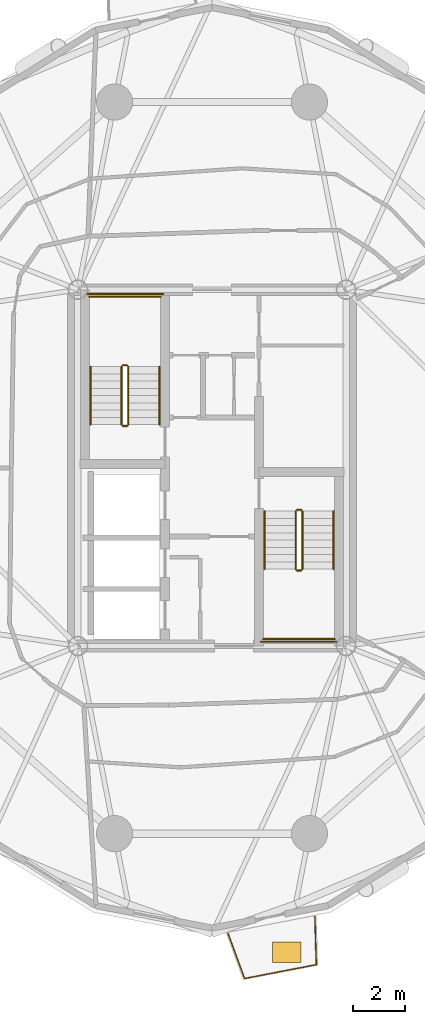
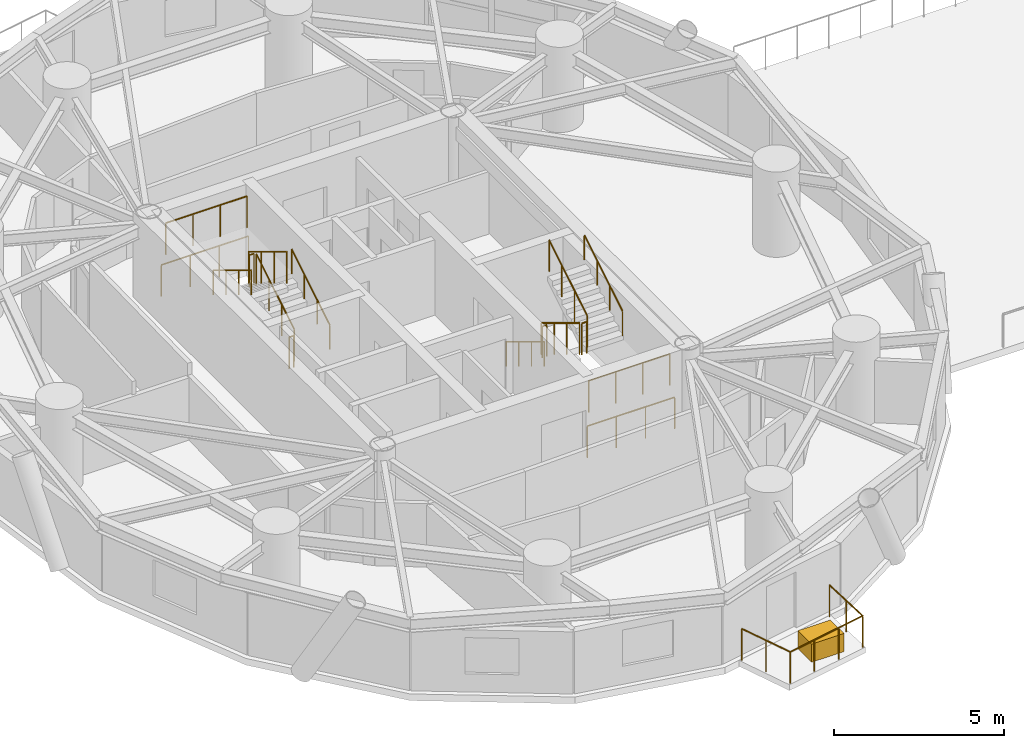
# One storey, part 16 of 19: 17 railings, 1 covering.
"""IFC4 building model written with IfcOpenShell, lengths in metres."""

import ifcopenshell
import ifcopenshell.guid

model = None  # the IFC model being written
_history = None  # IfcOwnerHistory: only IFC2X3 demands one
_inside = {}  # id of a spatial element -> (the spatial element, [elements in it])
_under = {}  # id of a project, library or spatial element -> (it, [spatial elements below it])
_declared = {}  # id of a project -> (the project, [libraries it declares])
_typed = {}  # id of a type object -> (the type object, [elements of that type])
_made_of = {}  # id of a material, layer set ... -> (it, [elements and type objects made of it])


def new_model(schema):
    """Start an empty IFC model of exactly this schema.

    Asked for "IFC4X3", IfcOpenShell would pick the latest addendum, in which some entities
    have other attributes; the version numbers below select the first issue.
    IFC2X3 requires an IfcOwnerHistory on every rooted entity: one is made here for all.
    """
    global model, _history
    if schema == "IFC4X3":
        model = ifcopenshell.file(schema_version=(4, 3, 0, 0))
    else:
        model = ifcopenshell.file(schema=schema)
    _inside.clear()
    _under.clear()
    _declared.clear()
    _typed.clear()
    _made_of.clear()
    _history = None
    if model.schema == "IFC2X3":
        org = make("IfcOrganization", Name="unknown")
        user = make(
            "IfcPersonAndOrganization",
            ThePerson=make("IfcPerson", FamilyName="unknown"),
            TheOrganization=org,
        )
        app = make(
            "IfcApplication",
            ApplicationDeveloper=org,
            Version="unknown",
            ApplicationFullName="unknown",
            ApplicationIdentifier="unknown",
        )
        _history = make(
            "IfcOwnerHistory",
            OwningUser=user,
            OwningApplication=app,
            ChangeAction="ADDED",
            CreationDate=0,
        )
    return model


def make(cls, **values):
    """One entity of the class cls with the attributes given. An attribute that is None is left unset."""
    return model.create_entity(
        cls, **{name: value for name, value in values.items() if value is not None}
    )


def rooted(cls, **values):
    """An entity with a GlobalId (a new one), such as an element, a storey or a relation."""
    return make(cls, GlobalId=ifcopenshell.guid.new(), OwnerHistory=_history, **values)


def si_unit(unit_type, name, prefix=None):
    """IfcSIUnit, for example si_unit("LENGTHUNIT", "METRE", prefix="MILLI")."""
    return make("IfcSIUnit", UnitType=unit_type, Prefix=prefix, Name=name)


def assignment(units):
    """IfcUnitAssignment: the units of a project."""
    return None if units is None else make("IfcUnitAssignment", Units=units)


def point(xyz):
    """IfcCartesianPoint."""
    return None if xyz is None else make("IfcCartesianPoint", Coordinates=xyz)


def direction(xyz):
    """IfcDirection."""
    return None if xyz is None else make("IfcDirection", DirectionRatios=xyz)


def frame(location, z_axis=None, x_axis=None):
    """IfcAxis2Placement3D, a coordinate frame: its origin and axes. An axis left out is left unset."""
    return make(
        "IfcAxis2Placement3D",
        Location=point(location),
        Axis=direction(z_axis),
        RefDirection=direction(x_axis),
    )


def frame_2d(location, x_axis=None):
    """IfcAxis2Placement2D, a coordinate frame in the plane: its origin and x axis."""
    return make(
        "IfcAxis2Placement2D", Location=point(location), RefDirection=direction(x_axis)
    )


def origin():
    """The frame at (0, 0, 0) with its axes left unset."""
    return frame((0.0, 0.0, 0.0))


def origin_2d():
    """The frame at (0, 0) in the plane with its x axis left unset."""
    return frame_2d((0.0, 0.0))


def place(relative_to, where):
    """IfcLocalPlacement: puts the frame where relative to a parent placement (None: the world)."""
    return make(
        "IfcLocalPlacement", PlacementRelTo=relative_to, RelativePlacement=where
    )


def context(
    kind, dimensions, precision=None, world=None, true_north=None, identifier=None
):
    """IfcGeometricRepresentationContext, for example the 3D "Model" context."""
    return make(
        "IfcGeometricRepresentationContext",
        ContextIdentifier=identifier,
        ContextType=kind,
        CoordinateSpaceDimension=dimensions,
        Precision=precision,
        WorldCoordinateSystem=world,
        TrueNorth=true_north,
    )


def subcontext(parent, identifier, kind, view, scale=None):
    """IfcGeometricRepresentationSubContext, for example "Body" below "Model"."""
    return make(
        "IfcGeometricRepresentationSubContext",
        ContextIdentifier=identifier,
        ContextType=kind,
        ParentContext=parent,
        TargetScale=scale,
        TargetView=view,
    )


def project(units=None, contexts=None):
    """IfcProject with its units and contexts."""
    return rooted(
        "IfcProject",
        Name="project",
        RepresentationContexts=contexts,
        UnitsInContext=assignment(units),
    )


def spatial(cls, under=None, at=None, **own):
    """A site, building, storey or space (cls), placed at a placement, below another one or the project."""
    s = rooted(cls, ObjectPlacement=at, **own)
    if under is not None:
        _under.setdefault(under.id(), (under, []))[1].append(s)
    return s


def profile(cls, at=None, kind="AREA", **sizes):
    """A parametric profile (cls). Its sizes go by their IFC names, for example OverallWidth=200.0."""
    return make(cls, ProfileType=kind, Position=at, **sizes)


def rectangle(**sizes):
    """IfcRectangleProfileDef."""
    return profile("IfcRectangleProfileDef", **sizes)


def circle(**sizes):
    """IfcCircleProfileDef."""
    return profile("IfcCircleProfileDef", **sizes)


def extrude(swept, where, along, depth):
    """IfcExtrudedAreaSolid: the profile swept, set in the frame where, extruded along a direction by depth."""
    return make(
        "IfcExtrudedAreaSolid",
        SweptArea=swept,
        Position=where,
        ExtrudedDirection=direction(along),
        Depth=depth,
    )


def shape(context_of_items, identifier, shape_type, items):
    """IfcShapeRepresentation: the items that make up one representation, for example the "Body"."""
    return make(
        "IfcShapeRepresentation",
        ContextOfItems=context_of_items,
        RepresentationIdentifier=identifier,
        RepresentationType=shape_type,
        Items=items,
    )


def source(mapping_origin, context_of_items, identifier, shape_type, items):
    """IfcRepresentationMap: a shape defined once, which mapped items show again and again."""
    return make(
        "IfcRepresentationMap",
        MappingOrigin=mapping_origin,
        MappedRepresentation=shape(context_of_items, identifier, shape_type, items),
    )


def transform(
    local_origin,
    x_axis=None,
    y_axis=None,
    z_axis=None,
    scale=None,
    scale2=None,
    scale3=None,
    uniform=True,
):
    """IfcCartesianTransformationOperator3D, or its non-uniform kind. x_axis, y_axis, z_axis: its Axis1, 2, 3."""
    if uniform:
        return make(
            "IfcCartesianTransformationOperator3D",
            Axis1=direction(x_axis),
            Axis2=direction(y_axis),
            LocalOrigin=point(local_origin),
            Scale=scale,
            Axis3=direction(z_axis),
        )
    return make(
        "IfcCartesianTransformationOperator3DnonUniform",
        Axis1=direction(x_axis),
        Axis2=direction(y_axis),
        LocalOrigin=point(local_origin),
        Scale=scale,
        Axis3=direction(z_axis),
        Scale2=scale2,
        Scale3=scale3,
    )


def mapped(mapping_source, mapping_target):
    """IfcMappedItem: shows the shape of a source again, moved by a transform."""
    return make(
        "IfcMappedItem", MappingSource=mapping_source, MappingTarget=mapping_target
    )


def material(Name=None, Category=None):
    """IfcMaterial."""
    return make("IfcMaterial", Name=Name, Category=Category)


def layer(
    of_material, thickness, ventilated=None, Name=None, Category=None, Priority=None
):
    """IfcMaterialLayer: one layer of a wall or slab, of a material (None: an air gap)."""
    return make(
        "IfcMaterialLayer",
        Material=of_material,
        LayerThickness=thickness,
        IsVentilated=ventilated,
        Name=Name,
        Category=Category,
        Priority=Priority,
    )


def layer_set(layers, Name=None):
    """IfcMaterialLayerSet."""
    return make("IfcMaterialLayerSet", MaterialLayers=layers, LayerSetName=Name)


def made_of(thing, what):
    """Note that an element or type object is made of a material, layer set ...; save() writes the relation."""
    if what is not None:
        _made_of.setdefault(what.id(), (what, []))[1].append(thing)
    return thing


def type_object(cls, material=None, **own):
    """A type object (cls), such as IfcWallType, which elements share."""
    return made_of(rooted(cls, **own), material)


def element(
    cls,
    number,
    at=None,
    inside=None,
    cuts=None,
    type_object=None,
    material=None,
    context=None,
    identifier="Body",
    shape_type=None,
    held_by="IfcProductDefinitionShape",
    body=None,
    shapes=None,
    **own,
):
    """One element of the class cls, such as IfcWall. Its Tag is "e" and its number.

    at: its placement. inside: the storey or other place that contains it. cuts: it is an
    opening in that element (IfcRelVoidsElement). A single representation is given by context,
    identifier, shape_type and body (its items); several are given by shapes. held_by: the class
    of the entity that holds the representations. save() writes the other relations.
    """
    e = rooted(cls, Tag="e%d" % number, ObjectPlacement=at, **own)
    if body is not None:
        shapes = [shape(context, identifier, shape_type, body)]
    if shapes is not None:
        e.Representation = make(held_by, Representations=shapes)
    if inside is not None:
        _inside.setdefault(inside.id(), (inside, []))[1].append(e)
    if cuts is not None:
        rooted(
            "IfcRelVoidsElement", RelatingBuildingElement=cuts, RelatedOpeningElement=e
        )
    if type_object is not None:
        _typed.setdefault(type_object.id(), (type_object, []))[1].append(e)
    return made_of(e, material)


def aggregate(whole, parts):
    """IfcRelAggregates: a whole, such as a stair, and the parts it consists of."""
    return rooted("IfcRelAggregates", RelatingObject=whole, RelatedObjects=parts)


def save(model, path):
    """Write the relations noted so far, then the file.

    IfcRelAggregates (storeys below a building ...), IfcRelContainedInSpatialStructure (elements
    in a storey), IfcRelDefinesByType, IfcRelAssociatesMaterial and IfcRelDeclares: one each for
    every whole, place, type object, material and project.
    """
    for whole, parts in _under.values():
        aggregate(whole, parts)
    for where, things in _inside.values():
        rooted(
            "IfcRelContainedInSpatialStructure",
            RelatedElements=things,
            RelatingStructure=where,
        )
    for kind, things in _typed.values():
        rooted("IfcRelDefinesByType", RelatedObjects=things, RelatingType=kind)
    for what, things in _made_of.values():
        rooted("IfcRelAssociatesMaterial", RelatedObjects=things, RelatingMaterial=what)
    for by, libraries in _declared.values():
        rooted("IfcRelDeclares", RelatingContext=by, RelatedDefinitions=libraries)
    model.write(path)


model = new_model("IFC4")

# Units and contexts
model_context = context("Model", 3, precision=1e-05, world=origin(), true_north=direction((0.0, 1.0)))
body_context = subcontext(model_context, "Body", "Model", "MODEL_VIEW")
ifc_project = project(units=[si_unit("LENGTHUNIT", "METRE"), si_unit("AREAUNIT", "SQUARE_METRE"), si_unit("VOLUMEUNIT", "CUBIC_METRE"), si_unit("PLANEANGLEUNIT", "RADIAN"), si_unit("MASSUNIT", "GRAM", prefix="KILO")], contexts=[model_context])

# Site, building, storey
site_placement = place(None, origin())
site = spatial("IfcSite", under=ifc_project, at=site_placement, CompositionType="ELEMENT")
building_placement = place(site_placement, origin())
building = spatial("IfcBuilding", under=site, at=building_placement, Name="Cununo Teusaquillo Station Towers", CompositionType="ELEMENT")
storey_placement = place(building_placement, frame((0.0, 0.0, 144.0400390625)))
storey = spatial("IfcBuildingStorey", under=building, at=storey_placement, Name="L45", CompositionType="ELEMENT", Elevation=144.0400390625)

# Railings
ifc_material_1 = material(Name="Anodised dark bronze aluminium EN AW-6063-T6", Category="aluminium")
railing_type_1 = type_object("IfcRailingType", Name="RL-EXT-GUARD", PredefinedType="GUARDRAIL", material=ifc_material_1)
railing_1_placement = place(storey_placement, frame((20.470703125, 7.173583984375, 0.0)))
element("IfcRailing", 1, at=railing_1_placement, inside=storey, type_object=railing_type_1, Name="L45 Tower A Balcony Guardrail C15", PredefinedType="GUARDRAIL", context=body_context, shape_type="SweptSolid", body=[
    extrude(circle(Radius=0.02392578125, at=origin_2d()), frame((0.0, 0.0, 1.1259765625), z_axis=(0.030492060761, -0.999535009007, 0.0), x_axis=(0.999535009007, 0.030492060761, 0.0)), (0.0, 0.0, 1.0), 1.857666015625),
    extrude(circle(Radius=0.02392578125, at=origin_2d()), frame((0.056640625, -1.856689453125, 1.1259765625), z_axis=(-0.981837596309, -0.18972331031, 0.0), x_axis=(0.18972331031, -0.981837596309, 0.0)), (0.0, 0.0, 1.0), 2.822021484375),
    extrude(circle(Radius=0.02392578125, at=origin_2d()), frame((-2.714111328125, -2.39208984375, 1.1259765625), z_axis=(-0.344127190422, 0.938923040942, 0.0), x_axis=(-0.938923040942, -0.344127190422, 0.0)), (0.0, 0.0, 1.0), 1.857421875),
    extrude(circle(Radius=0.02099609375, at=origin_2d()), origin(), (0.0, 0.0, 1.0), 1.101806640625),
    extrude(circle(Radius=0.02099609375, at=origin_2d()), frame((0.0283203125, -0.92822265625, 0.0)), (0.0, 0.0, 1.0), 1.101806640625),
    extrude(circle(Radius=0.02099609375, at=origin_2d()), frame((0.056640625, -1.856689453125, 0.0)), (0.0, 0.0, 1.0), 1.101806640625),
    extrude(circle(Radius=0.02099609375, at=origin_2d()), frame((-0.866943359375, -2.03515625, 0.0)), (0.0, 0.0, 1.0), 1.101806640625),
    extrude(circle(Radius=0.02099609375, at=origin_2d()), frame((-1.79052734375, -2.213623046875, 0.0)), (0.0, 0.0, 1.0), 1.101806640625),
    extrude(circle(Radius=0.02099609375, at=origin_2d()), frame((-2.714111328125, -2.39208984375, 0.0)), (0.0, 0.0, 1.0), 1.101806640625),
    extrude(circle(Radius=0.02099609375, at=origin_2d()), frame((-3.03369140625, -1.52001953125, 0.0)), (0.0, 0.0, 1.0), 1.101806640625),
    extrude(circle(Radius=0.02099609375, at=origin_2d()), frame((-3.353271484375, -0.648193359375, 0.0)), (0.0, 0.0, 1.0), 1.101806640625),
])
ifc_material_2 = material(Name="Steel EN 10025-2 S355J2", Category="steel")
railing_type_2 = type_object("IfcRailingType", Name="RL-INT-GUARD", PredefinedType="GUARDRAIL", material=ifc_material_2)
railing_2_placement = place(storey_placement, frame((13.27001953125, 26.169921875, 0.169921875)))
element("IfcRailing", 2, at=railing_2_placement, inside=storey, type_object=railing_type_2, Name="L45 ST-T1-1 stair guard 1", PredefinedType="GUARDRAIL", context=body_context, shape_type="SweptSolid", body=[
    extrude(circle(Radius=0.02392578125, at=origin_2d()), frame((0.0, 0.0, 1.1259765625), z_axis=(0.0, 0.854768326408, 0.519009738029), x_axis=(-1.0, 0.0, 0.0)), (0.0, 0.0, 1.0), 2.62060546875),
    extrude(circle(Radius=0.02099609375, at=origin_2d()), origin(), (0.0, 0.0, 1.0), 1.101806640625),
    extrude(circle(Radius=0.02099609375, at=origin_2d()), frame((0.0, 0.74658203125, 0.453369140625)), (0.0, 0.0, 1.0), 1.101806640625),
    extrude(circle(Radius=0.02099609375, at=origin_2d()), frame((0.0, 1.493408203125, 0.90673828125)), (0.0, 0.0, 1.0), 1.101806640625),
    extrude(circle(Radius=0.02099609375, at=origin_2d()), frame((0.0, 2.239990234375, 1.360107421875)), (0.0, 0.0, 1.0), 1.101806640625),
])
railing_3_placement = place(storey_placement, frame((13.219970703125, 28.4599609375, 1.530029296875)))
element("IfcRailing", 3, at=railing_3_placement, inside=storey, type_object=railing_type_2, Name="L45 ST-T1-1 stair guard 2", PredefinedType="GUARDRAIL", context=body_context, shape_type="SweptSolid", body=[
    extrude(circle(Radius=0.02392578125, at=origin_2d()), frame((0.0, 0.0, 1.1259765625), z_axis=(-1.0, 0.0, 0.0), x_axis=(0.0, -1.0, 0.0)), (0.0, 0.0, 1.0), 0.159912109375),
    extrude(circle(Radius=0.02099609375, at=origin_2d()), origin(), (0.0, 0.0, 1.0), 1.101806640625),
    extrude(circle(Radius=0.02099609375, at=origin_2d()), frame((-0.159912109375, 0.0, 0.0)), (0.0, 0.0, 1.0), 1.101806640625),
])
railing_4_placement = place(storey_placement, frame((14.52001953125, 31.110107421875, 1.530029296875)))
element("IfcRailing", 4, at=railing_4_placement, inside=storey, type_object=railing_type_2, Name="L45 ST-T1-1 stair guard 3", PredefinedType="GUARDRAIL", context=body_context, shape_type="SweptSolid", body=[
    extrude(circle(Radius=0.02392578125, at=origin_2d()), frame((0.0, 0.0, 1.1259765625), z_axis=(-1.0, 0.0, 0.0), x_axis=(0.0, -1.0, 0.0)), (0.0, 0.0, 1.0), 2.760009765625),
    extrude(circle(Radius=0.02099609375, at=origin_2d()), origin(), (0.0, 0.0, 1.0), 1.101806640625),
    extrude(circle(Radius=0.02099609375, at=origin_2d()), frame((-0.919921875, 0.0, 0.0)), (0.0, 0.0, 1.0), 1.101806640625),
    extrude(circle(Radius=0.02099609375, at=origin_2d()), frame((-1.840087890625, 0.0, 0.0)), (0.0, 0.0, 1.0), 1.101806640625),
    extrude(circle(Radius=0.02099609375, at=origin_2d()), frame((-2.760009765625, 0.0, 0.0)), (0.0, 0.0, 1.0), 1.101806640625),
])
railing_5_placement = place(storey_placement, frame((13.010009765625, 28.409912109375, 1.699951171875)))
element("IfcRailing", 5, at=railing_5_placement, inside=storey, type_object=railing_type_2, Name="L45 ST-T1-1 stair guard 4", PredefinedType="GUARDRAIL", context=body_context, shape_type="SweptSolid", body=[
    extrude(circle(Radius=0.02392578125, at=origin_2d()), frame((0.0, 0.0, 1.1259765625), z_axis=(0.0, -0.854768326408, 0.519009738029), x_axis=(1.0, 0.0, 0.0)), (0.0, 0.0, 1.0), 2.62060546875),
    extrude(circle(Radius=0.02099609375, at=origin_2d()), origin(), (0.0, 0.0, 1.0), 1.101806640625),
    extrude(circle(Radius=0.02099609375, at=origin_2d()), frame((0.0, -0.74658203125, 0.453369140625)), (0.0, 0.0, 1.0), 1.101806640625),
    extrude(circle(Radius=0.02099609375, at=origin_2d()), frame((0.0, -1.493408203125, 0.90673828125)), (0.0, 0.0, 1.0), 1.101806640625),
    extrude(circle(Radius=0.02099609375, at=origin_2d()), frame((0.0, -2.239990234375, 1.360107421875)), (0.0, 0.0, 1.0), 1.101806640625),
])
railing_6_placement = place(storey_placement, frame((13.219970703125, 26.1201171875, 0.0)))
element("IfcRailing", 6, at=railing_6_placement, inside=storey, type_object=railing_type_2, Name="L45 ST-T1-1 stair guard 5", PredefinedType="GUARDRAIL", context=body_context, shape_type="SweptSolid", body=[
    extrude(circle(Radius=0.02392578125, at=origin_2d()), frame((0.0, 0.0, 1.1259765625), z_axis=(-1.0, 0.0, 0.0), x_axis=(0.0, -1.0, 0.0)), (0.0, 0.0, 1.0), 0.159912109375),
    extrude(circle(Radius=0.02099609375, at=origin_2d()), origin(), (0.0, 0.0, 1.0), 1.101806640625),
    extrude(circle(Radius=0.02099609375, at=origin_2d()), frame((-0.159912109375, 0.0, 0.0)), (0.0, 0.0, 1.0), 1.101806640625),
])
railing_7_placement = place(storey_placement, frame((14.6201171875, 31.2099609375, 0.0)))
element("IfcRailing", 7, at=railing_7_placement, inside=storey, type_object=railing_type_2, Name="L45 ST-T1-1 stair guard 6", PredefinedType="GUARDRAIL", context=body_context, shape_type="SweptSolid", body=[
    extrude(circle(Radius=0.02392578125, at=origin_2d()), frame((0.0, 0.0, 1.1259765625), z_axis=(-1.0, 0.0, 0.0), x_axis=(0.0, -1.0, 0.0)), (0.0, 0.0, 1.0), 2.960205078125),
    extrude(circle(Radius=0.02099609375, at=origin_2d()), origin(), (0.0, 0.0, 1.0), 1.101806640625),
    extrude(circle(Radius=0.02099609375, at=origin_2d()), frame((-0.98681640625, 0.0, 0.0)), (0.0, 0.0, 1.0), 1.101806640625),
    extrude(circle(Radius=0.02099609375, at=origin_2d()), frame((-1.973388671875, 0.0, 0.0)), (0.0, 0.0, 1.0), 1.101806640625),
    extrude(circle(Radius=0.02099609375, at=origin_2d()), frame((-2.960205078125, 0.0, 0.0)), (0.0, 0.0, 1.0), 1.101806640625),
])
railing_8_placement = place(storey_placement, frame((19.72998046875, 22.830078125, 0.169921875)))
element("IfcRailing", 8, at=railing_8_placement, inside=storey, type_object=railing_type_2, Name="L45 ST-T1-2 stair guard 1", PredefinedType="GUARDRAIL", context=body_context, shape_type="SweptSolid", body=[
    extrude(circle(Radius=0.02392578125, at=origin_2d()), frame((0.0, 0.0, 1.1259765625), z_axis=(0.0, -0.854768326408, 0.519009738029), x_axis=(1.0, 0.0, 0.0)), (0.0, 0.0, 1.0), 2.62060546875),
    extrude(circle(Radius=0.02099609375, at=origin_2d()), origin(), (0.0, 0.0, 1.0), 1.101806640625),
    extrude(circle(Radius=0.02099609375, at=origin_2d()), frame((0.0, -0.74658203125, 0.453369140625)), (0.0, 0.0, 1.0), 1.101806640625),
    extrude(circle(Radius=0.02099609375, at=origin_2d()), frame((0.0, -1.493408203125, 0.90673828125)), (0.0, 0.0, 1.0), 1.101806640625),
    extrude(circle(Radius=0.02099609375, at=origin_2d()), frame((0.0, -2.239990234375, 1.360107421875)), (0.0, 0.0, 1.0), 1.101806640625),
])
railing_9_placement = place(storey_placement, frame((19.780029296875, 20.5400390625, 1.530029296875)))
element("IfcRailing", 9, at=railing_9_placement, inside=storey, type_object=railing_type_2, Name="L45 ST-T1-2 stair guard 2", PredefinedType="GUARDRAIL", context=body_context, shape_type="SweptSolid", body=[
    extrude(circle(Radius=0.02392578125, at=origin_2d()), frame((0.0, 0.0, 1.1259765625), z_axis=(1.0, 0.0, 0.0), x_axis=(0.0, 1.0, 0.0)), (0.0, 0.0, 1.0), 0.159912109375),
    extrude(circle(Radius=0.02099609375, at=origin_2d()), origin(), (0.0, 0.0, 1.0), 1.101806640625),
    extrude(circle(Radius=0.02099609375, at=origin_2d()), frame((0.159912109375, 0.0, 0.0)), (0.0, 0.0, 1.0), 1.101806640625),
])
railing_10_placement = place(storey_placement, frame((18.47998046875, 17.889892578125, 1.530029296875)))
element("IfcRailing", 10, at=railing_10_placement, inside=storey, type_object=railing_type_2, Name="L45 ST-T1-2 stair guard 3", PredefinedType="GUARDRAIL", context=body_context, shape_type="SweptSolid", body=[
    extrude(circle(Radius=0.02392578125, at=origin_2d()), frame((0.0, 0.0, 1.1259765625), z_axis=(1.0, 0.0, 0.0), x_axis=(0.0, 1.0, 0.0)), (0.0, 0.0, 1.0), 2.760009765625),
    extrude(circle(Radius=0.02099609375, at=origin_2d()), origin(), (0.0, 0.0, 1.0), 1.101806640625),
    extrude(circle(Radius=0.02099609375, at=origin_2d()), frame((0.919921875, 0.0, 0.0)), (0.0, 0.0, 1.0), 1.101806640625),
    extrude(circle(Radius=0.02099609375, at=origin_2d()), frame((1.840087890625, 0.0, 0.0)), (0.0, 0.0, 1.0), 1.101806640625),
    extrude(circle(Radius=0.02099609375, at=origin_2d()), frame((2.760009765625, 0.0, 0.0)), (0.0, 0.0, 1.0), 1.101806640625),
])
railing_11_placement = place(storey_placement, frame((19.989990234375, 20.590087890625, 1.699951171875)))
element("IfcRailing", 11, at=railing_11_placement, inside=storey, type_object=railing_type_2, Name="L45 ST-T1-2 stair guard 4", PredefinedType="GUARDRAIL", context=body_context, shape_type="SweptSolid", body=[
    extrude(circle(Radius=0.02392578125, at=origin_2d()), frame((0.0, 0.0, 1.1259765625), z_axis=(0.0, 0.854768326408, 0.519009738029), x_axis=(-1.0, 0.0, 0.0)), (0.0, 0.0, 1.0), 2.62060546875),
    extrude(circle(Radius=0.02099609375, at=origin_2d()), origin(), (0.0, 0.0, 1.0), 1.101806640625),
    extrude(circle(Radius=0.02099609375, at=origin_2d()), frame((0.0, 0.74658203125, 0.453369140625)), (0.0, 0.0, 1.0), 1.101806640625),
    extrude(circle(Radius=0.02099609375, at=origin_2d()), frame((0.0, 1.493408203125, 0.90673828125)), (0.0, 0.0, 1.0), 1.101806640625),
    extrude(circle(Radius=0.02099609375, at=origin_2d()), frame((0.0, 2.239990234375, 1.360107421875)), (0.0, 0.0, 1.0), 1.101806640625),
])
railing_12_placement = place(storey_placement, frame((19.780029296875, 22.8798828125, 0.0)))
element("IfcRailing", 12, at=railing_12_placement, inside=storey, type_object=railing_type_2, Name="L45 ST-T1-2 stair guard 5", PredefinedType="GUARDRAIL", context=body_context, shape_type="SweptSolid", body=[
    extrude(circle(Radius=0.02392578125, at=origin_2d()), frame((0.0, 0.0, 1.1259765625), z_axis=(1.0, 0.0, 0.0), x_axis=(0.0, 1.0, 0.0)), (0.0, 0.0, 1.0), 0.159912109375),
    extrude(circle(Radius=0.02099609375, at=origin_2d()), origin(), (0.0, 0.0, 1.0), 1.101806640625),
    extrude(circle(Radius=0.02099609375, at=origin_2d()), frame((0.159912109375, 0.0, 0.0)), (0.0, 0.0, 1.0), 1.101806640625),
])
railing_13_placement = place(storey_placement, frame((18.3798828125, 17.7900390625, 0.0)))
element("IfcRailing", 13, at=railing_13_placement, inside=storey, type_object=railing_type_2, Name="L45 ST-T1-2 stair guard 6", PredefinedType="GUARDRAIL", context=body_context, shape_type="SweptSolid", body=[
    extrude(circle(Radius=0.02392578125, at=origin_2d()), frame((0.0, 0.0, 1.1259765625), z_axis=(1.0, 0.0, 0.0), x_axis=(0.0, 1.0, 0.0)), (0.0, 0.0, 1.0), 2.960205078125),
    extrude(circle(Radius=0.02099609375, at=origin_2d()), origin(), (0.0, 0.0, 1.0), 1.101806640625),
    extrude(circle(Radius=0.02099609375, at=origin_2d()), frame((0.98681640625, 0.0, 0.0)), (0.0, 0.0, 1.0), 1.101806640625),
    extrude(circle(Radius=0.02099609375, at=origin_2d()), frame((1.973388671875, 0.0, 0.0)), (0.0, 0.0, 1.0), 1.101806640625),
    extrude(circle(Radius=0.02099609375, at=origin_2d()), frame((2.960205078125, 0.0, 0.0)), (0.0, 0.0, 1.0), 1.101806640625),
])
ifc_material_3 = material(Name="Steel EN 10025-2 S355J2", Category="steel")
railing_type_3 = type_object("IfcRailingType", Name="RL-INT-HRAIL", PredefinedType="HANDRAIL", material=ifc_material_3)
railing_14_placement = place(storey_placement, frame((14.469970703125, 26.169921875, 0.169921875)))
element("IfcRailing", 14, at=railing_14_placement, inside=storey, type_object=railing_type_3, Name="L45 ST-T1-1 stair handrail 1", PredefinedType="HANDRAIL", context=body_context, shape_type="SweptSolid", body=[
    extrude(circle(Radius=0.02392578125, at=origin_2d()), frame((0.0, 0.0, 0.8759765625), z_axis=(0.0, 0.854768326408, 0.519009738029), x_axis=(-1.0, 0.0, 0.0)), (0.0, 0.0, 1.0), 2.62060546875),
    extrude(circle(Radius=0.02099609375, at=origin_2d()), origin(), (0.0, 0.0, 1.0), 0.851806640625),
    extrude(circle(Radius=0.02099609375, at=origin_2d()), frame((0.0, 0.74658203125, 0.453369140625)), (0.0, 0.0, 1.0), 0.851806640625),
    extrude(circle(Radius=0.02099609375, at=origin_2d()), frame((0.0, 1.493408203125, 0.90673828125)), (0.0, 0.0, 1.0), 0.851806640625),
    extrude(circle(Radius=0.02099609375, at=origin_2d()), frame((0.0, 2.239990234375, 1.360107421875)), (0.0, 0.0, 1.0), 0.851806640625),
])
for number, where, name in (
    (15, (11.81005859375, 28.409912109375, 1.699951171875), "L45 ST-T1-1 stair handrail 2"),
    (16, (18.530029296875, 22.830078125, 0.169921875), "L45 ST-T1-2 stair handrail 1"),
):
    element("IfcRailing", number, at=place(storey_placement, frame(where)), inside=storey, type_object=railing_type_3, Name=name, PredefinedType="HANDRAIL", context=body_context, shape_type="SweptSolid", body=[
        extrude(circle(Radius=0.02392578125, at=origin_2d()), frame((0.0, 0.0, 0.8759765625), z_axis=(0.0, -0.854768326408, 0.519009738029), x_axis=(1.0, 0.0, 0.0)), (0.0, 0.0, 1.0), 2.62060546875),
        extrude(circle(Radius=0.02099609375, at=origin_2d()), origin(), (0.0, 0.0, 1.0), 0.851806640625),
        extrude(circle(Radius=0.02099609375, at=origin_2d()), frame((0.0, -0.74658203125, 0.453369140625)), (0.0, 0.0, 1.0), 0.851806640625),
        extrude(circle(Radius=0.02099609375, at=origin_2d()), frame((0.0, -1.493408203125, 0.90673828125)), (0.0, 0.0, 1.0), 0.851806640625),
        extrude(circle(Radius=0.02099609375, at=origin_2d()), frame((0.0, -2.239990234375, 1.360107421875)), (0.0, 0.0, 1.0), 0.851806640625),
    ])
railing_15_placement = place(storey_placement, frame((21.18994140625, 20.590087890625, 1.699951171875)))
element("IfcRailing", 17, at=railing_15_placement, inside=storey, type_object=railing_type_3, Name="L45 ST-T1-2 stair handrail 2", PredefinedType="HANDRAIL", context=body_context, shape_type="SweptSolid", body=[
    extrude(circle(Radius=0.02392578125, at=origin_2d()), frame((0.0, 0.0, 0.8759765625), z_axis=(0.0, 0.854768326408, 0.519009738029), x_axis=(-1.0, 0.0, 0.0)), (0.0, 0.0, 1.0), 2.62060546875),
    extrude(circle(Radius=0.02099609375, at=origin_2d()), origin(), (0.0, 0.0, 1.0), 0.851806640625),
    extrude(circle(Radius=0.02099609375, at=origin_2d()), frame((0.0, 0.74658203125, 0.453369140625)), (0.0, 0.0, 1.0), 0.851806640625),
    extrude(circle(Radius=0.02099609375, at=origin_2d()), frame((0.0, 1.493408203125, 0.90673828125)), (0.0, 0.0, 1.0), 0.851806640625),
    extrude(circle(Radius=0.02099609375, at=origin_2d()), frame((0.0, 2.239990234375, 1.360107421875)), (0.0, 0.0, 1.0), 0.851806640625),
])

# Covering
ifc_material_4 = material(Name="Architectural GRC planter shell and engineered root-zone substrate", Category="concrete")
ifc_layer = layer(ifc_material_4, 0.64990234375)
ifc_layer_set = layer_set([ifc_layer], Name="Architectural GRC planter shell and engineered root-zone substrate")
covering_type = type_object("IfcCoveringType", Name="COV-TREE-PLANTER", PredefinedType="CLADDING", material=ifc_layer_set)
shared_shape = source(origin(), body_context, "Body", "SweptSolid", [
    extrude(rectangle(XDim=1.10009765625, YDim=0.800048828125, at=origin_2d()), origin(), (0.0, 0.0, 1.0), 0.64990234375),
])
covering_placement = place(storey_placement, frame((19.38916015625, 5.7998046875, 0.0), z_axis=(0.0, 0.0, 1.0), x_axis=(1.0, 0.0, 0.0)))
element("IfcCovering", 18, at=covering_placement, inside=storey, type_object=covering_type, Name="L45 Tower A Balcony Tree PLANTER C15", PredefinedType="CLADDING", context=body_context, shape_type="MappedRepresentation", body=[
    mapped(shared_shape, transform((0.0, 0.0, 0.0), x_axis=(1.0, 0.0, 0.0), y_axis=(0.0, 1.0, 0.0), z_axis=(0.0, 0.0, 1.0), scale=1.0)),
])

save(model, "model.ifc")
